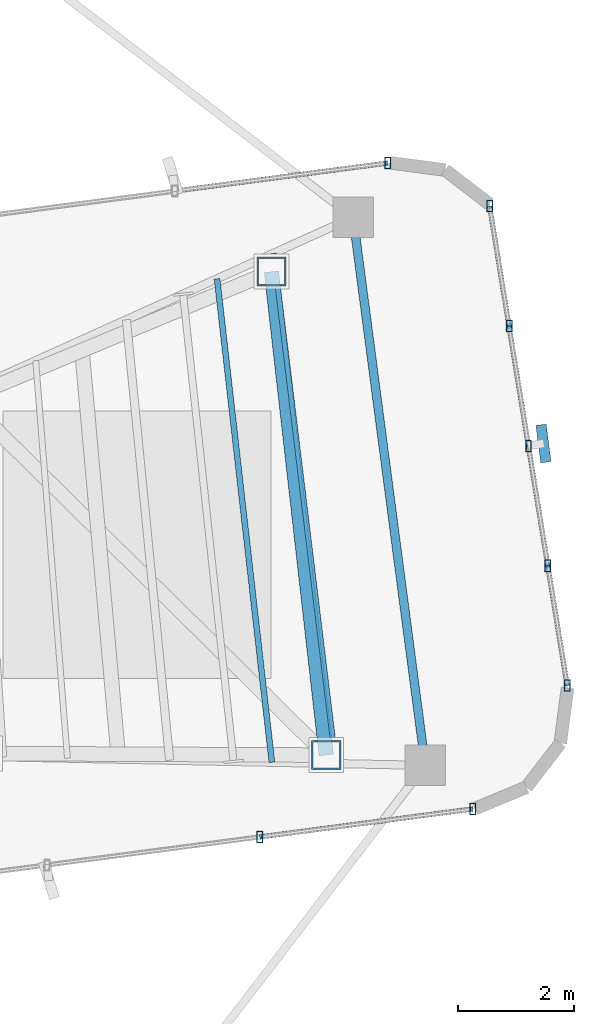
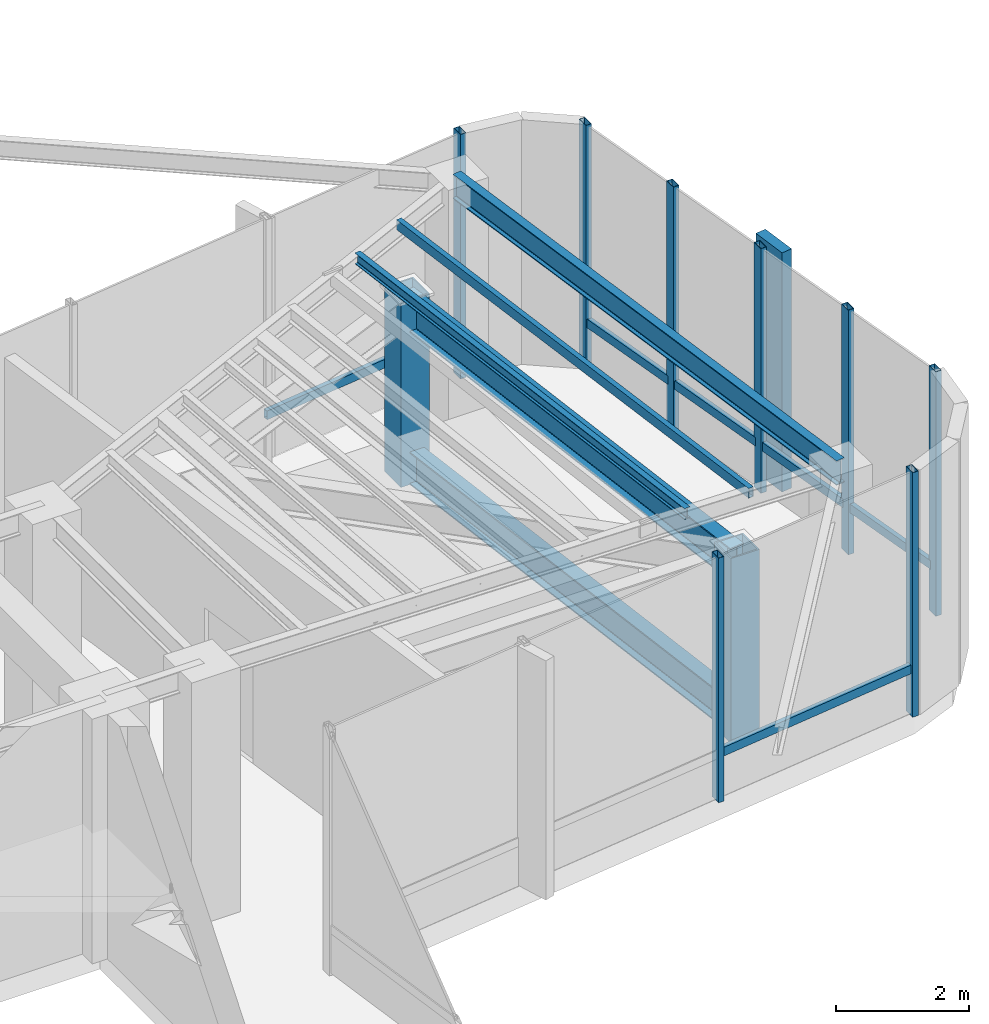
# One storey, part 9 of 16: 17 members, 5 beams, 3 elements without a shape of their own.
"""IFC4 building model written with IfcOpenShell, lengths in metres."""

from ifc_helpers import new_model, si_unit, direction, frame, origin, origin_2d, place, context, subcontext, project, spatial, rectangle, hollow_rectangle, i_section, extrude, source, transform, mapped, material, material_profile, profile_set, type_object, element, aggregate, save


model = new_model("IFC4")

# Units and contexts
model_context = context("Model", 3, precision=1e-05, world=origin(), true_north=direction((0.0, 1.0)))
body_context = subcontext(model_context, "Body", "Model", "MODEL_VIEW")
ifc_project = project(units=[si_unit("LENGTHUNIT", "METRE"), si_unit("AREAUNIT", "SQUARE_METRE"), si_unit("VOLUMEUNIT", "CUBIC_METRE"), si_unit("PLANEANGLEUNIT", "RADIAN"), si_unit("MASSUNIT", "GRAM", prefix="KILO")], contexts=[model_context])

# Site, building, storey
site_placement = place(None, origin())
site = spatial("IfcSite", under=ifc_project, at=site_placement, CompositionType="ELEMENT")
building_placement = place(site_placement, origin())
building = spatial("IfcBuilding", under=site, at=building_placement, Name="Sahyath Konkavel Grand Hotel", CompositionType="ELEMENT")
storey_placement = place(building_placement, frame((0.0, 0.0, 280.300048828125)))
storey = spatial("IfcBuildingStorey", under=building, at=storey_placement, Name="L78", CompositionType="ELEMENT", Elevation=280.300048828125)

# Beams
ifc_material_1 = material(Name="Steel E350", Category="steel")
ifc_material_profile_1 = material_profile(ifc_material_1, i_section(OverallWidth=0.14990234375, OverallDepth=0.449951171875, WebThickness=0.009521484375, FlangeThickness=0.017333984375, FilletRadius=0.014892578125, at=origin_2d()), Name="ISMB 450")
ifc_profile_set_1 = profile_set([ifc_material_profile_1], Name="Steel E350")
beam_type_1 = type_object("IfcBeamType", Name="BM-ISMB450", PredefinedType="BEAM", material=ifc_profile_set_1)
shared_shape_1 = source(origin(), body_context, "Body", "SweptSolid", [
    extrude(i_section(OverallWidth=0.14990234375, OverallDepth=0.449951171875, WebThickness=0.009521484375, FlangeThickness=0.017333984375, FilletRadius=0.014892578125, at=origin_2d()), origin(), (0.0, 0.0, 1.0), 9.5),
])
beam_1_placement = place(storey_placement, frame((16.483154296875, -2.620849609375, 4.27490234375), z_axis=(-0.130525643939, 0.991444933556, 0.0), x_axis=(-0.991444933556, -0.130525643939, 0.0)))
element("IfcBeam", 1, at=beam_1_placement, inside=storey, type_object=beam_type_1, Name="L78 Wing Tip Edge Beam E", PredefinedType="BEAM", context=body_context, shape_type="MappedRepresentation", body=[
    mapped(shared_shape_1, transform((0.0, 0.0, 0.0), scale=1.0)),
])
ifc_material_profile_2 = material_profile(ifc_material_1, i_section(OverallWidth=0.10009765625, OverallDepth=0.199951171875, WebThickness=0.005615234375, FlangeThickness=0.0107421875, FilletRadius=0.010986328125, at=origin_2d()), Name="ISMB 200")
ifc_profile_set_2 = profile_set([ifc_material_profile_2], Name="Steel E350")
beam_type_2 = type_object("IfcBeamType", Name="BM-ISMB200", PredefinedType="BEAM", material=ifc_profile_set_2)
shared_shape_2 = source(origin(), body_context, "Body", "SweptSolid", [
    extrude(i_section(OverallWidth=0.10009765625, OverallDepth=0.199951171875, WebThickness=0.005615234375, FlangeThickness=0.0107421875, FilletRadius=0.010986328125, at=origin_2d()), origin(), (0.0, 0.0, 1.0), 8.36328125),
])
beam_2_placement = place(storey_placement, frame((13.84716796875, -2.56787109375, 4.39990234375), z_axis=(-0.112680437677, 0.99363127918, 0.0), x_axis=(-0.99363127918, -0.112680437677, 0.0)))
element("IfcBeam", 2, at=beam_2_placement, inside=storey, type_object=beam_type_2, Name="L78 Secondary Floor Beam E-3", PredefinedType="BEAM", context=body_context, shape_type="MappedRepresentation", body=[
    mapped(shared_shape_2, transform((0.0, 0.0, 0.0), scale=1.0)),
])
ifc_material_profile_3 = material_profile(ifc_material_1, hollow_rectangle(XDim=0.090087890625, YDim=0.179931640625, WallThickness=0.008056640625, at=origin_2d()), Name="RHS 180x90x8")
ifc_profile_set_3 = profile_set([ifc_material_profile_3], Name="Steel E350")
beam_type_3 = type_object("IfcBeamType", Name="BM-RHS180", PredefinedType="BEAM", material=ifc_profile_set_3)
shared_shape_3 = source(origin(), body_context, "Body", "SweptSolid", [
    extrude(hollow_rectangle(XDim=0.090087890625, YDim=0.179931640625, WallThickness=0.008056640625, at=origin_2d()), origin(), (0.0, 0.0, 1.0), 8.8369140625),
])
beam_3_placement = place(storey_placement, frame((14.945556640625, -2.590087890625, 4.409912109375), z_axis=(-0.120677894343, 0.992691717411, 0.0), x_axis=(-0.992691717411, -0.120677894343, 0.0)))
element("IfcBeam", 3, at=beam_3_placement, inside=storey, type_object=beam_type_3, Name="L78 Composite Deck Sub-Beam E-6", PredefinedType="BEAM", context=body_context, shape_type="MappedRepresentation", body=[
    mapped(shared_shape_3, transform((0.0, 0.0, 0.0), scale=1.0)),
])

# Members
ifc_material_profile_4 = material_profile(ifc_material_1, hollow_rectangle(XDim=0.5, YDim=0.5, WallThickness=0.02490234375, at=origin_2d()), Name="BOX 500x500x25")
ifc_profile_set_4 = profile_set([ifc_material_profile_4], Name="Steel E350")
member_type_1 = type_object("IfcMemberType", Name="TMD-FRAME-COL", PredefinedType="CHORD", material=ifc_profile_set_4)
shared_shape_4 = source(origin(), body_context, "Body", "SweptSolid", [
    extrude(hollow_rectangle(XDim=0.5, YDim=0.5, WallThickness=0.02490234375, at=origin_2d()), origin(), (0.0, 0.0, 1.0), 3.39990234375),
])
for number, where, z_axis, x_axis, name in (
    (4, (13.839111328125, 5.865234375, 0.0), (0.0, 0.0, 1.0), (1.0, 0.0, 0.0), "Tuned Mass Damper Frame Column NE"),
    (5, (14.781494140625, -2.44482421875, 0.0), (0.0, 0.0, 1.0), (1.0, 0.0, 0.0), "Tuned Mass Damper Frame Column SE"),
):
    element("IfcMember", number, at=place(storey_placement, frame(where, z_axis=z_axis, x_axis=x_axis)), inside=storey, type_object=member_type_1, Name=name, PredefinedType="CHORD", context=body_context, shape_type="MappedRepresentation", body=[
        mapped(shared_shape_4, transform((0.0, 0.0, 0.0), scale=1.0)),
    ])

# Beams
ifc_material_profile_5 = material_profile(ifc_material_1, i_section(OverallWidth=0.25, OverallDepth=0.60009765625, WebThickness=0.01171875, FlangeThickness=0.023681640625, FilletRadius=0.01708984375, at=origin_2d()), Name="ISWB 600")
ifc_profile_set_5 = profile_set([ifc_material_profile_5], Name="Steel E350")
beam_type_4 = type_object("IfcBeamType", Name="TMD-FRAME-BM", PredefinedType="BEAM", material=ifc_profile_set_5)
shared_shape_5 = source(origin(), body_context, "Body", "SweptSolid", [
    extrude(i_section(OverallWidth=0.25, OverallDepth=0.60009765625, WebThickness=0.01171875, FlangeThickness=0.023681640625, FilletRadius=0.01708984375, at=origin_2d()), origin(), (0.0, 0.0, 1.0), 8.36328125),
])
for number, where, z_axis, x_axis, name in (
    (6, (13.839111328125, 5.865234375, 0.300048828125), (0.112680437677, -0.99363127918, 0.0), (0.99363127918, 0.112680437677, 0.0), "Tuned Mass Damper Frame Plinth Girder E"),
    (7, (13.839111328125, 5.865234375, 3.099853515625), (0.112680437677, -0.99363127918, 0.0), (0.99363127918, 0.112680437677, 0.0), "Tuned Mass Damper Frame Top Beam TE"),
):
    element("IfcBeam", number, at=place(storey_placement, frame(where, z_axis=z_axis, x_axis=x_axis)), inside=storey, type_object=beam_type_4, Name=name, PredefinedType="BEAM", context=body_context, shape_type="MappedRepresentation", body=[
        mapped(shared_shape_5, transform((0.0, 0.0, 0.0), scale=1.0)),
    ])

# Curtain wall, members
ifc_material_2 = material(Name="Anodised Bronze Aluminium & Low-E Glazing", Category="aluminium")
curtain_wall_type = type_object("IfcCurtainWallType", Name="CW-CROWN-TMD", PredefinedType="NOTDEFINED", material=ifc_material_2)
curtain_wall_1_placement = place(storey_placement, origin())
curtain_wall_1 = element("IfcCurtainWall", 8, at=curtain_wall_1_placement, inside=storey, type_object=curtain_wall_type, Name="L78 Unitised Curtain Wall F4", PredefinedType="NOTDEFINED")
ifc_material_3 = material(Name="Anodised Bronze Aluminium", Category="aluminium")
ifc_material_profile_6 = material_profile(ifc_material_3, hollow_rectangle(XDim=0.080078125, YDim=0.159912109375, WallThickness=0.006103515625, at=origin_2d()), Name="RHS 160x80x6")
ifc_profile_set_6 = profile_set([ifc_material_profile_6], Name="Anodised Bronze Aluminium")
member_type_2 = type_object("IfcMemberType", Name="CW-TRN-160", PredefinedType="USERDEFINED", material=ifc_profile_set_6)
shared_shape_6 = source(origin(), body_context, "Body", "SweptSolid", [
    extrude(hollow_rectangle(XDim=0.080078125, YDim=0.159912109375, WallThickness=0.006103515625, at=origin_2d()), origin(), (0.0, 0.0, 1.0), 2.08740234375),
])
member_1_placement = place(storey_placement, frame((17.92431640625, 4.930419921875, 0.849853515625), z_axis=(-0.159541334591, 0.98719124923, 0.0), x_axis=(-0.98719124923, -0.159541334591, 0.0)))
member_1 = element("IfcMember", 9, at=member_1_placement, type_object=member_type_2, Name="L78 Curtain Wall Transom F4-3-spandrel", ObjectType="TRANSOM", PredefinedType="USERDEFINED", context=body_context, shape_type="MappedRepresentation", body=[
    mapped(shared_shape_6, transform((0.0, 0.0, 0.0), scale=1.0)),
])
shared_shape_7 = source(origin(), body_context, "Body", "SweptSolid", [
    extrude(hollow_rectangle(XDim=0.080078125, YDim=0.159912109375, WallThickness=0.006103515625, at=origin_2d()), origin(), (0.0, 0.0, 1.0), 2.087158203125),
])
member_2_placement = place(storey_placement, frame((18.923828125, -1.25048828125, 0.849853515625), z_axis=(-0.159559758546, 0.987188271533, 0.0), x_axis=(-0.987188271533, -0.159559758546, 0.0)))
member_2 = element("IfcMember", 10, at=member_2_placement, type_object=member_type_2, Name="L78 Curtain Wall Transom F4-0-spandrel", ObjectType="TRANSOM", PredefinedType="USERDEFINED", context=body_context, shape_type="MappedRepresentation", body=[
    mapped(shared_shape_7, transform((0.0, 0.0, 0.0), scale=1.0)),
])
member_3_placement = place(storey_placement, frame((18.5908203125, 0.809814453125, 0.849853515625), z_axis=(-0.159673756436, 0.98716983924, 0.0), x_axis=(-0.98716983924, -0.159673756436, 0.0)))
member_3 = element("IfcMember", 11, at=member_3_placement, type_object=member_type_2, Name="L78 Curtain Wall Transom F4-1-spandrel", ObjectType="TRANSOM", PredefinedType="USERDEFINED", context=body_context, shape_type="MappedRepresentation", body=[
    mapped(shared_shape_7, transform((0.0, 0.0, 0.0), scale=1.0)),
])
member_4_placement = place(storey_placement, frame((18.257568359375, 2.8701171875, 0.849853515625), z_axis=(-0.159673756436, 0.98716983924, 0.0), x_axis=(-0.98716983924, -0.159673756436, 0.0)))
member_4 = element("IfcMember", 12, at=member_4_placement, type_object=member_type_2, Name="L78 Curtain Wall Transom F4-2-spandrel", ObjectType="TRANSOM", PredefinedType="USERDEFINED", context=body_context, shape_type="MappedRepresentation", body=[
    mapped(shared_shape_7, transform((0.0, 0.0, 0.0), scale=1.0)),
])

curtain_wall_2_placement = place(storey_placement, origin())
curtain_wall_2 = element("IfcCurtainWall", 13, at=curtain_wall_2_placement, inside=storey, type_object=curtain_wall_type, Name="L78 Unitised Curtain Wall F0", PredefinedType="NOTDEFINED")
ifc_material_profile_7 = material_profile(ifc_material_3, hollow_rectangle(XDim=0.10009765625, YDim=0.199951171875, WallThickness=0.008056640625, at=origin_2d()), Name="RHS 200x100x8")
ifc_profile_set_7 = profile_set([ifc_material_profile_7], Name="Anodised Bronze Aluminium")
member_type_3 = type_object("IfcMemberType", Name="CW-MUL-200", PredefinedType="MULLION", material=ifc_profile_set_7)
shared_shape_8 = source(origin(), body_context, "Body", "SweptSolid", [
    extrude(hollow_rectangle(XDim=0.10009765625, YDim=0.199951171875, WallThickness=0.008056640625, at=origin_2d()), origin(), (0.0, 0.0, 1.0), 4.5),
])
member_5_placement = place(storey_placement, frame((13.639404296875, -3.8525390625, 0.0), z_axis=(0.0, 0.0, 1.0), x_axis=(1.0, 0.0, 0.0)))
member_5 = element("IfcMember", 14, at=member_5_placement, type_object=member_type_3, Name="L78 Curtain Wall Mullion F0-2", PredefinedType="MULLION", context=body_context, shape_type="MappedRepresentation", body=[
    mapped(shared_shape_8, transform((0.0, 0.0, 0.0), scale=1.0)),
])
member_6_placement = place(storey_placement, frame((17.2978515625, -3.37109375, 0.0), z_axis=(0.0, 0.0, 1.0), x_axis=(1.0, 0.0, 0.0)))
member_6 = element("IfcMember", 15, at=member_6_placement, type_object=member_type_3, Name="L78 Curtain Wall Mullion F0-3", PredefinedType="MULLION", context=body_context, shape_type="MappedRepresentation", body=[
    mapped(shared_shape_8, transform((0.0, 0.0, 0.0), scale=1.0)),
])

# Member
member_7_placement = place(storey_placement, frame((18.923828125, -1.25048828125, 0.0), z_axis=(0.0, 0.0, 1.0), x_axis=(1.0, 0.0, 0.0)))
member_7 = element("IfcMember", 16, at=member_7_placement, type_object=member_type_3, Name="L78 Curtain Wall Mullion F4-0", PredefinedType="MULLION", context=body_context, shape_type="MappedRepresentation", body=[
    mapped(shared_shape_8, transform((0.0, 0.0, 0.0), scale=1.0)),
])

member_8_placement = place(storey_placement, frame((18.5908203125, 0.809814453125, 0.0), z_axis=(0.0, 0.0, 1.0), x_axis=(1.0, 0.0, 0.0)))
member_8 = element("IfcMember", 17, at=member_8_placement, type_object=member_type_3, Name="L78 Curtain Wall Mullion F4-1", PredefinedType="MULLION", context=body_context, shape_type="MappedRepresentation", body=[
    mapped(shared_shape_8, transform((0.0, 0.0, 0.0), scale=1.0)),
])

member_9_placement = place(storey_placement, frame((18.257568359375, 2.8701171875, 0.0), z_axis=(0.0, 0.0, 1.0), x_axis=(1.0, 0.0, 0.0)))
member_9 = element("IfcMember", 18, at=member_9_placement, type_object=member_type_3, Name="L78 Curtain Wall Mullion F4-2", PredefinedType="MULLION", context=body_context, shape_type="MappedRepresentation", body=[
    mapped(shared_shape_8, transform((0.0, 0.0, 0.0), scale=1.0)),
])

member_10_placement = place(storey_placement, frame((17.92431640625, 4.930419921875, 0.0), z_axis=(0.0, 0.0, 1.0), x_axis=(1.0, 0.0, 0.0)))
member_10 = element("IfcMember", 19, at=member_10_placement, type_object=member_type_3, Name="L78 Curtain Wall Mullion F4-3", PredefinedType="MULLION", context=body_context, shape_type="MappedRepresentation", body=[
    mapped(shared_shape_8, transform((0.0, 0.0, 0.0), scale=1.0)),
])

member_11_placement = place(storey_placement, frame((17.59130859375, 6.990966796875, 0.0), z_axis=(0.0, 0.0, 1.0), x_axis=(1.0, 0.0, 0.0)))
member_11 = element("IfcMember", 20, at=member_11_placement, type_object=member_type_3, Name="L78 Curtain Wall Mullion F4-4", PredefinedType="MULLION", context=body_context, shape_type="MappedRepresentation", body=[
    mapped(shared_shape_8, transform((0.0, 0.0, 0.0), scale=1.0)),
])

# Curtain wall, member
curtain_wall_3_placement = place(storey_placement, origin())
curtain_wall_3 = element("IfcCurtainWall", 21, at=curtain_wall_3_placement, inside=storey, type_object=curtain_wall_type, Name="L78 Unitised Curtain Wall F7", PredefinedType="NOTDEFINED")
member_12_placement = place(storey_placement, frame((15.836181640625, 7.733154296875, 0.0), z_axis=(0.0, 0.0, 1.0), x_axis=(1.0, 0.0, 0.0)))
member_12 = element("IfcMember", 22, at=member_12_placement, type_object=member_type_3, Name="L78 Curtain Wall Mullion F7-0", PredefinedType="MULLION", context=body_context, shape_type="MappedRepresentation", body=[
    mapped(shared_shape_8, transform((0.0, 0.0, 0.0), scale=1.0)),
])

# Member
ifc_material_4 = material(Name="Warm Buff Sandstone Cladding on Concrete C50/60", Category="masonry")
ifc_material_profile_8 = material_profile(ifc_material_4, rectangle(XDim=0.179931640625, YDim=0.64990234375, at=origin_2d()), Name="FIN 180x650")
ifc_profile_set_8 = profile_set([ifc_material_profile_8], Name="Warm Buff Sandstone Cladding on Concrete C50/60")
member_type_4 = type_object("IfcMemberType", Name="FIN-SANDSTONE-650", PredefinedType="MULLION", material=ifc_profile_set_8)
shared_shape_9 = source(origin(), body_context, "Body", "SweptSolid", [
    extrude(rectangle(XDim=0.179931640625, YDim=0.64990234375, at=origin_2d()), origin(), (0.0, 0.0, 1.0), 4.39990234375),
])
member_13_placement = place(storey_placement, frame((18.514404296875, 2.91162109375, 0.050048828125), z_axis=(0.0, 0.0, 1.0), x_axis=(0.991648668207, 0.128968673884, 0.0)))
member_13 = element("IfcMember", 23, at=member_13_placement, type_object=member_type_4, Name="L78 Sandstone Vertical Solar Fin FIN F4-2", PredefinedType="MULLION", context=body_context, shape_type="MappedRepresentation", body=[
    mapped(shared_shape_9, transform((0.0, 0.0, 0.0), scale=1.0)),
])

aggregate(curtain_wall_1, [member_7, member_8, member_9, member_13, member_10, member_11, member_2, member_3, member_4, member_1])

shared_shape_10 = source(origin(), body_context, "Body", "SweptSolid", [
    extrude(hollow_rectangle(XDim=0.080078125, YDim=0.159912109375, WallThickness=0.006103515625, at=origin_2d()), origin(), (0.0, 0.0, 1.0), 3.68994140625),
])
member_14_placement = place(storey_placement, frame((13.639404296875, -3.8525390625, 0.849853515625), z_axis=(0.991451818194, 0.130473339038, 0.0), x_axis=(-0.130473339038, 0.991451818194, 0.0)))
member_14 = element("IfcMember", 24, at=member_14_placement, type_object=member_type_2, Name="L78 Curtain Wall Transom F0-2-spandrel", ObjectType="TRANSOM", PredefinedType="USERDEFINED", context=body_context, shape_type="MappedRepresentation", body=[
    mapped(shared_shape_10, transform((0.0, 0.0, 0.0), scale=1.0)),
])

aggregate(curtain_wall_2, [member_5, member_6, member_14])

member_15_placement = place(storey_placement, frame((15.836181640625, 7.733154296875, 0.849853515625), z_axis=(-0.991443257426, -0.130538374835, 0.0), x_axis=(0.130538374835, -0.991443257426, 0.0)))
member_15 = element("IfcMember", 25, at=member_15_placement, type_object=member_type_2, Name="L78 Curtain Wall Transom F7-0-spandrel", ObjectType="TRANSOM", PredefinedType="USERDEFINED", context=body_context, shape_type="MappedRepresentation", body=[
    mapped(shared_shape_10, transform((0.0, 0.0, 0.0), scale=1.0)),
])

aggregate(curtain_wall_3, [member_12, member_15])

save(model, "model.ifc")
